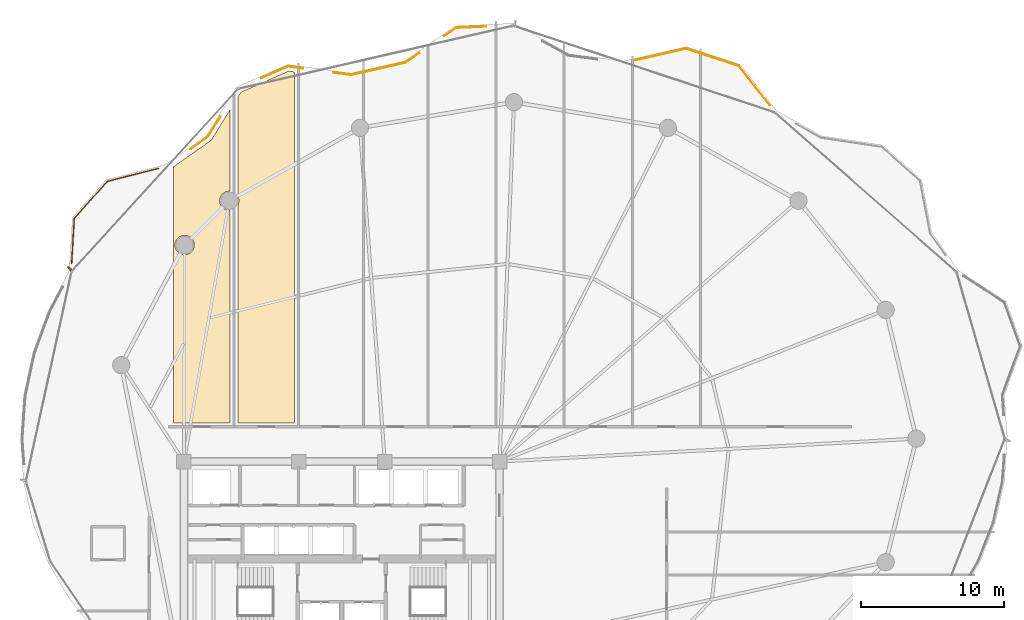
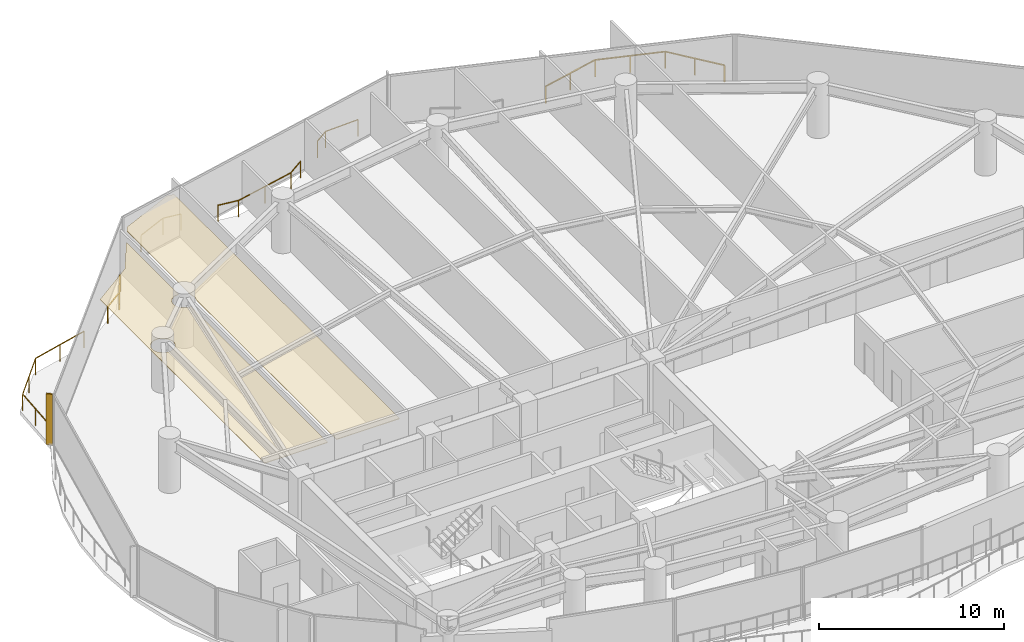
# One storey, part 33 of 34: 6 railings, 2 coverings, 1 shading device.
"""IFC4 building model written with IfcOpenShell, lengths in metres."""

from ifc_helpers import new_model, si_unit, direction, frame, origin, origin_2d, place, context, subcontext, project, spatial, polyline, rectangle, outline, extrude, material, layer, layer_set, type_object, element, save


model = new_model("IFC4")

# Units and contexts
model_context = context("Model", 3, precision=1e-05, world=origin(), true_north=direction((0.0, 1.0)))
body_context = subcontext(model_context, "Body", "Model", "MODEL_VIEW")
ifc_project = project(units=[si_unit("LENGTHUNIT", "METRE"), si_unit("AREAUNIT", "SQUARE_METRE"), si_unit("VOLUMEUNIT", "CUBIC_METRE"), si_unit("PLANEANGLEUNIT", "RADIAN"), si_unit("MASSUNIT", "GRAM", prefix="KILO")], contexts=[model_context])

# Site, building, storey
site_placement = place(None, origin())
site = spatial("IfcSite", under=ifc_project, at=site_placement, CompositionType="ELEMENT")
building_placement = place(site_placement, origin())
building = spatial("IfcBuilding", under=site, at=building_placement, Name="Kazevale Care Tower and Concert Hall", CompositionType="ELEMENT")
storey_placement = place(building_placement, frame((0.0, 0.0, 174.60009765625)))
storey = spatial("IfcBuildingStorey", under=building, at=storey_placement, Name="L46", CompositionType="ELEMENT", Elevation=174.60009765625)

# Coverings
ifc_material_1 = material(Name="Acoustic Plaster and Hinoki Wood", Category="wood")
ifc_layer = layer(ifc_material_1, 0.0400390625)
ifc_layer_set = layer_set([ifc_layer], Name="Acoustic Plaster and Hinoki Wood")
covering_type = type_object("IfcCoveringType", Name="Acoustic Perforated Wood-Gypsum Ceiling", PredefinedType="CEILING", material=ifc_layer_set)
covering_1_placement = place(storey_placement, frame((0.0, 0.0, 2.7099609375)))
element("IfcCovering", 1, at=covering_1_placement, inside=storey, type_object=covering_type, Name="clg:L46:1", PredefinedType="CEILING", context=body_context, shape_type="SweptSolid", body=[
    extrude(outline(polyline([(25.219970703125, 55.2548828125), (24.909912109375, 55.2080078125), (24.68896484375, 55.06103515625), (24.5419921875, 54.840087890625), (24.489990234375, 54.580078125), (24.5419921875, 54.320068359375), (24.68896484375, 54.09912109375), (24.909912109375, 53.951904296875), (25.219970703125, 53.905029296875), (25.219970703125, 39.10498046875), (21.280029296875, 39.10498046875), (21.280029296875, 56.9541015625), (23.89306640625, 58.787109375), (25.219970703125, 60.927978515625), (25.219970703125, 55.2548828125)]), holes=[polyline([(22.717041015625, 51.623046875), (22.614990234375, 51.867919921875), (22.427978515625, 52.054931640625), (22.18310546875, 52.156982421875), (21.9169921875, 52.156982421875), (21.672119140625, 52.054931640625), (21.485107421875, 51.867919921875), (21.383056640625, 51.623046875), (21.383056640625, 51.35693359375), (21.485107421875, 51.112060546875), (21.672119140625, 50.925048828125), (21.9169921875, 50.822998046875), (22.18310546875, 50.822998046875), (22.427978515625, 50.925048828125), (22.614990234375, 51.112060546875), (22.717041015625, 51.35693359375), (22.717041015625, 51.623046875)])]), origin(), (0.0, 0.0, 1.0), 0.0400390625),
])
covering_2_placement = place(storey_placement, frame((0.0, 0.0, 2.7099609375)))
element("IfcCovering", 2, at=covering_2_placement, inside=storey, type_object=covering_type, Name="clg:L46:2", PredefinedType="CEILING", context=body_context, shape_type="SweptSolid", body=[
    extrude(outline(polyline([(29.719970703125, 39.10498046875), (25.780029296875, 39.10498046875), (25.780029296875, 54.285888671875), (25.85009765625, 54.580078125), (25.780029296875, 54.8740234375), (25.780029296875, 61.83203125), (25.97607421875, 62.14892578125), (29.294921875, 63.610107421875), (29.719970703125, 63.552001953125), (29.719970703125, 39.10498046875)])), origin(), (0.0, 0.0, 1.0), 0.0400390625),
])

# Railings
ifc_material_2 = material(Name="Anodised Bronze Aluminium and Laminated Glass", Category="aluminium")
railing_type = type_object("IfcRailingType", Name="Balcony and Terrace Balustrade 1120", PredefinedType="BALUSTRADE", material=ifc_material_2)
railing_1_placement = place(storey_placement, frame((14.176025390625, 50.219970703125, 0.0)))
element("IfcRailing", 3, at=railing_1_placement, inside=storey, type_object=railing_type, Name="rail:L46:perim:2", PredefinedType="BALUSTRADE", context=body_context, shape_type="SweptSolid", body=[
    extrude(rectangle(XDim=0.048095703125, YDim=0.048095703125, at=origin_2d()), frame((0.0, 0.0, 1.09619140625), z_axis=(0.058397513537, 0.99829340898, 0.0), x_axis=(-0.99829340898, 0.058397513537, 0.0)), (0.0, 0.0, 1.0), 3.13134765625),
    extrude(rectangle(XDim=0.048095703125, YDim=0.048095703125, at=origin_2d()), frame((0.182861328125, 3.1259765625, 1.09619140625), z_axis=(0.665105006429, 0.746749844608, 0.0), x_axis=(-0.746749844608, 0.665105006429, 0.0)), (0.0, 0.0, 1.0), 3.453857421875),
    extrude(rectangle(XDim=0.048095703125, YDim=0.048095703125, at=origin_2d()), frame((2.47998046875, 5.705078125, 1.09619140625), z_axis=(0.969135648028, 0.246528083029, 0.0), x_axis=(-0.246528083029, 0.969135648028, 0.0)), (0.0, 0.0, 1.0), 3.667236328125),
    extrude(rectangle(XDim=0.0419921875, YDim=0.0419921875, at=origin_2d()), origin(), (0.0, 0.0, 1.0), 1.072021484375),
    extrude(rectangle(XDim=0.0419921875, YDim=0.0419921875, at=origin_2d()), frame((0.09130859375, 1.56298828125, 0.0)), (0.0, 0.0, 1.0), 1.072021484375),
    extrude(rectangle(XDim=0.0419921875, YDim=0.0419921875, at=origin_2d()), frame((0.182861328125, 3.1259765625, 0.0)), (0.0, 0.0, 1.0), 1.072021484375),
    extrude(rectangle(XDim=0.0419921875, YDim=0.0419921875, at=origin_2d()), frame((1.33154296875, 4.41552734375, 0.0)), (0.0, 0.0, 1.0), 1.072021484375),
    extrude(rectangle(XDim=0.0419921875, YDim=0.0419921875, at=origin_2d()), frame((2.47998046875, 5.705078125, 0.0)), (0.0, 0.0, 1.0), 1.072021484375),
    extrude(rectangle(XDim=0.0419921875, YDim=0.0419921875, at=origin_2d()), frame((4.2568359375, 6.1572265625, 0.0)), (0.0, 0.0, 1.0), 1.072021484375),
    extrude(rectangle(XDim=0.0419921875, YDim=0.0419921875, at=origin_2d()), frame((6.033935546875, 6.609130859375, 0.0)), (0.0, 0.0, 1.0), 1.072021484375),
])
railing_2_placement = place(storey_placement, frame((22.47705078125, 58.18505859375, 0.0)))
element("IfcRailing", 4, at=railing_2_placement, inside=storey, type_object=railing_type, Name="rail:L46:perim:3", PredefinedType="BALUSTRADE", context=body_context, shape_type="SweptSolid", body=[
    extrude(rectangle(XDim=0.048095703125, YDim=0.048095703125, at=origin_2d()), frame((0.0, 0.0, 1.09619140625), z_axis=(0.819016727855, 0.573769639746, 0.0), x_axis=(-0.573769639746, 0.819016727855, 0.0)), (0.0, 0.0, 1.0), 1.439453125),
    extrude(rectangle(XDim=0.048095703125, YDim=0.048095703125, at=origin_2d()), frame((1.178955078125, 0.825927734375, 1.09619140625), z_axis=(0.526547441963, 0.85014574713, 0.0), x_axis=(-0.85014574713, 0.526547441963, 0.0)), (0.0, 0.0, 1.0), 1.69970703125),
    extrude(rectangle(XDim=0.0419921875, YDim=0.0419921875, at=origin_2d()), origin(), (0.0, 0.0, 1.0), 1.072021484375),
    extrude(rectangle(XDim=0.0419921875, YDim=0.0419921875, at=origin_2d()), frame((1.178955078125, 0.825927734375, 0.0)), (0.0, 0.0, 1.0), 1.072021484375),
    extrude(rectangle(XDim=0.0419921875, YDim=0.0419921875, at=origin_2d()), frame((2.073974609375, 2.27099609375, 0.0)), (0.0, 0.0, 1.0), 1.072021484375),
])
railing_3_placement = place(storey_placement, frame((27.425048828125, 63.135986328125, 0.0)))
element("IfcRailing", 5, at=railing_3_placement, inside=storey, type_object=railing_type, Name="rail:L46:perim:4", PredefinedType="BALUSTRADE", context=body_context, shape_type="SweptSolid", body=[
    extrude(rectangle(XDim=0.048095703125, YDim=0.048095703125, at=origin_2d()), frame((0.0, 0.0, 1.09619140625), z_axis=(0.915235534084, 0.402919243957, 0.0), x_axis=(-0.402919243957, 0.915235534084, 0.0)), (0.0, 0.0, 1.0), 1.992919921875),
    extrude(rectangle(XDim=0.048095703125, YDim=0.048095703125, at=origin_2d()), frame((1.823974609375, 0.802978515625, 1.09619140625), z_axis=(0.990895759246, -0.134631327363, 0.0), x_axis=(0.134631327363, 0.990895759246, 0.0)), (0.0, 0.0, 1.0), 1.062744140625),
    extrude(rectangle(XDim=0.0419921875, YDim=0.0419921875, at=origin_2d()), origin(), (0.0, 0.0, 1.0), 1.072021484375),
    extrude(rectangle(XDim=0.0419921875, YDim=0.0419921875, at=origin_2d()), frame((1.823974609375, 0.802978515625, 0.0)), (0.0, 0.0, 1.0), 1.072021484375),
    extrude(rectangle(XDim=0.0419921875, YDim=0.0419921875, at=origin_2d()), frame((2.876953125, 0.659912109375, 0.0)), (0.0, 0.0, 1.0), 1.072021484375),
])
railing_4_placement = place(storey_placement, frame((32.43798828125, 63.506103515625, 0.0)))
element("IfcRailing", 6, at=railing_4_placement, inside=storey, type_object=railing_type, Name="rail:L46:perim:5", PredefinedType="BALUSTRADE", context=body_context, shape_type="SweptSolid", body=[
    extrude(rectangle(XDim=0.048095703125, YDim=0.048095703125, at=origin_2d()), frame((0.0, 0.0, 1.09619140625), z_axis=(0.990995305993, -0.133896614968, 0.0), x_axis=(0.133896614968, 0.990995305993, 0.0)), (0.0, 0.0, 1.0), 1.218017578125),
    extrude(rectangle(XDim=0.048095703125, YDim=0.048095703125, at=origin_2d()), frame((1.20703125, -0.1630859375, 1.09619140625), z_axis=(0.975412879339, 0.220385377962, 0.0), x_axis=(-0.220385377962, 0.975412879339, 0.0)), (0.0, 0.0, 1.0), 3.851806640625),
    extrude(rectangle(XDim=0.048095703125, YDim=0.048095703125, at=origin_2d()), frame((4.964111328125, 0.685791015625, 1.09619140625), z_axis=(0.826107848451, 0.563512043108, 0.0), x_axis=(-0.563512043108, 0.826107848451, 0.0)), (0.0, 0.0, 1.0), 1.21044921875),
    extrude(rectangle(XDim=0.0419921875, YDim=0.0419921875, at=origin_2d()), origin(), (0.0, 0.0, 1.0), 1.072021484375),
    extrude(rectangle(XDim=0.0419921875, YDim=0.0419921875, at=origin_2d()), frame((1.20703125, -0.1630859375, 0.0)), (0.0, 0.0, 1.0), 1.072021484375),
    extrude(rectangle(XDim=0.0419921875, YDim=0.0419921875, at=origin_2d()), frame((3.08544921875, 0.26123046875, 0.0)), (0.0, 0.0, 1.0), 1.072021484375),
    extrude(rectangle(XDim=0.0419921875, YDim=0.0419921875, at=origin_2d()), frame((4.964111328125, 0.685791015625, 0.0)), (0.0, 0.0, 1.0), 1.072021484375),
    extrude(rectangle(XDim=0.0419921875, YDim=0.0419921875, at=origin_2d()), frame((5.964111328125, 1.367919921875, 0.0)), (0.0, 0.0, 1.0), 1.072021484375),
])
railing_5_placement = place(storey_placement, frame((40.125, 66.049072265625, 0.0)))
element("IfcRailing", 7, at=railing_5_placement, inside=storey, type_object=railing_type, Name="rail:L46:perim:6", PredefinedType="BALUSTRADE", context=body_context, shape_type="SweptSolid", body=[
    extrude(rectangle(XDim=0.048095703125, YDim=0.048095703125, at=origin_2d()), frame((0.0, 0.0, 1.09619140625), z_axis=(0.825986647337, 0.563689682735, 0.0), x_axis=(-0.563689682735, 0.825986647337, 0.0)), (0.0, 0.0, 1.0), 1.0302734375),
    extrude(rectangle(XDim=0.048095703125, YDim=0.048095703125, at=origin_2d()), frame((0.85107421875, 0.580810546875, 1.09619140625), z_axis=(0.999008153593, 0.044527621259, 0.0), x_axis=(-0.044527621259, 0.999008153593, 0.0)), (0.0, 0.0, 1.0), 2.0888671875),
    extrude(rectangle(XDim=0.0419921875, YDim=0.0419921875, at=origin_2d()), origin(), (0.0, 0.0, 1.0), 1.072021484375),
    extrude(rectangle(XDim=0.0419921875, YDim=0.0419921875, at=origin_2d()), frame((0.85107421875, 0.580810546875, 0.0)), (0.0, 0.0, 1.0), 1.072021484375),
    extrude(rectangle(XDim=0.0419921875, YDim=0.0419921875, at=origin_2d()), frame((2.93798828125, 0.673828125, 0.0)), (0.0, 0.0, 1.0), 1.072021484375),
])
railing_6_placement = place(storey_placement, frame((53.429931640625, 64.35791015625, 0.0)))
element("IfcRailing", 8, at=railing_6_placement, inside=storey, type_object=railing_type, Name="rail:L46:perim:8", PredefinedType="BALUSTRADE", context=body_context, shape_type="SweptSolid", body=[
    extrude(rectangle(XDim=0.048095703125, YDim=0.048095703125, at=origin_2d()), frame((0.0, 0.0, 1.09619140625), z_axis=(0.974487723827, 0.224440807588, 0.0), x_axis=(-0.224440807588, 0.974487723827, 0.0)), (0.0, 0.0, 1.0), 3.66259765625),
    extrude(rectangle(XDim=0.048095703125, YDim=0.048095703125, at=origin_2d()), frame((3.569091796875, 0.822021484375, 1.09619140625), z_axis=(0.949652960746, -0.313303772953, 0.0), x_axis=(0.313303772953, 0.949652960746, 0.0)), (0.0, 0.0, 1.0), 3.884521484375),
    extrude(rectangle(XDim=0.048095703125, YDim=0.048095703125, at=origin_2d()), frame((7.258056640625, -0.39501953125, 1.09619140625), z_axis=(0.617693820362, -0.786418682564, 0.0), x_axis=(0.786418682564, 0.617693820362, 0.0)), (0.0, 0.0, 1.0), 3.461181640625),
    extrude(rectangle(XDim=0.0419921875, YDim=0.0419921875, at=origin_2d()), origin(), (0.0, 0.0, 1.0), 1.072021484375),
    extrude(rectangle(XDim=0.0419921875, YDim=0.0419921875, at=origin_2d()), frame((1.78466796875, 0.4111328125, 0.0)), (0.0, 0.0, 1.0), 1.072021484375),
    extrude(rectangle(XDim=0.0419921875, YDim=0.0419921875, at=origin_2d()), frame((3.569091796875, 0.822021484375, 0.0)), (0.0, 0.0, 1.0), 1.072021484375),
    extrude(rectangle(XDim=0.0419921875, YDim=0.0419921875, at=origin_2d()), frame((5.41357421875, 0.21337890625, 0.0)), (0.0, 0.0, 1.0), 1.072021484375),
    extrude(rectangle(XDim=0.0419921875, YDim=0.0419921875, at=origin_2d()), frame((7.258056640625, -0.39501953125, 0.0)), (0.0, 0.0, 1.0), 1.072021484375),
    extrude(rectangle(XDim=0.0419921875, YDim=0.0419921875, at=origin_2d()), frame((8.3271484375, -1.755859375, 0.0)), (0.0, 0.0, 1.0), 1.072021484375),
    extrude(rectangle(XDim=0.0419921875, YDim=0.0419921875, at=origin_2d()), frame((9.39599609375, -3.116943359375, 0.0)), (0.0, 0.0, 1.0), 1.072021484375),
])

# Shading device
ifc_material_3 = material(Name="Anodised Bronze Aluminium", Category="aluminium")
shading_device_type = type_object("IfcShadingDeviceType", Name="Waist Anodised Bronze-Stone Fin FIN-02", PredefinedType="USERDEFINED", material=ifc_material_3)
shading_device_placement = place(storey_placement, frame((14.02197265625, 49.8671875, 0.0), z_axis=(0.0, 0.0, 1.0), x_axis=(-0.738455340626, 0.674302387584, 0.0)))
element("IfcShadingDevice", 9, at=shading_device_placement, inside=storey, type_object=shading_device_type, Name="cw:L46:f14:fin", ObjectType="FIN", PredefinedType="USERDEFINED", context=body_context, shape_type="SweptSolid", body=[
    extrude(rectangle(XDim=0.340087890625, YDim=0.10009765625, at=origin_2d()), origin(), (0.0, 0.0, 1.0), 3.360107421875),
])

save(model, "model.ifc")
